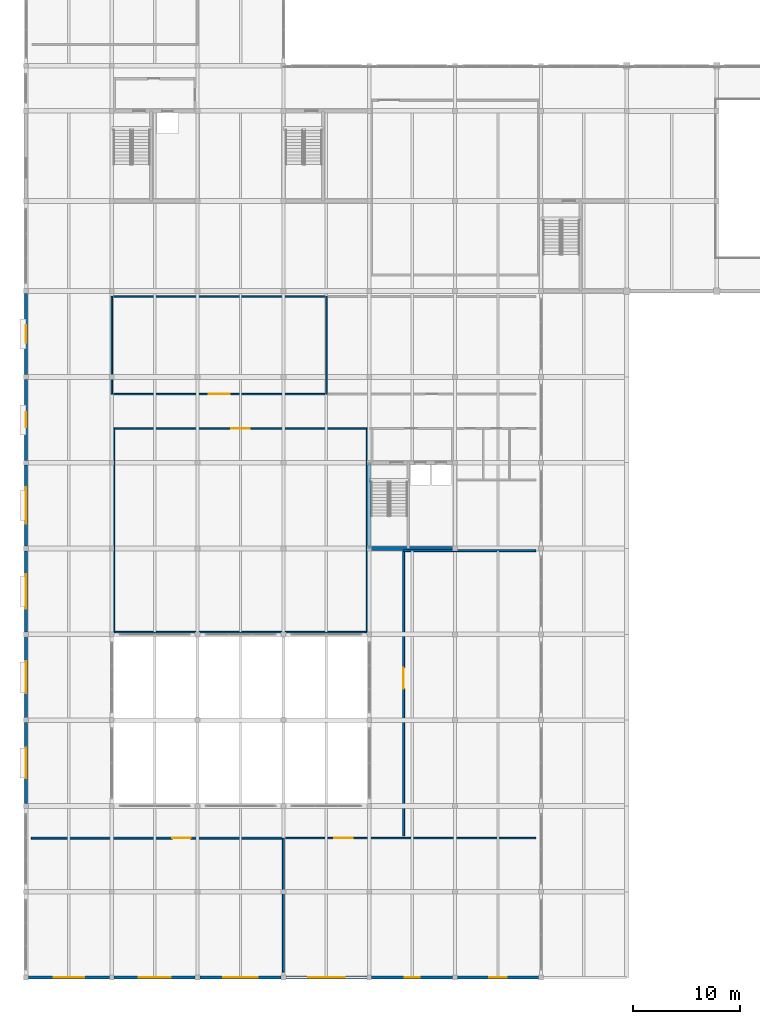
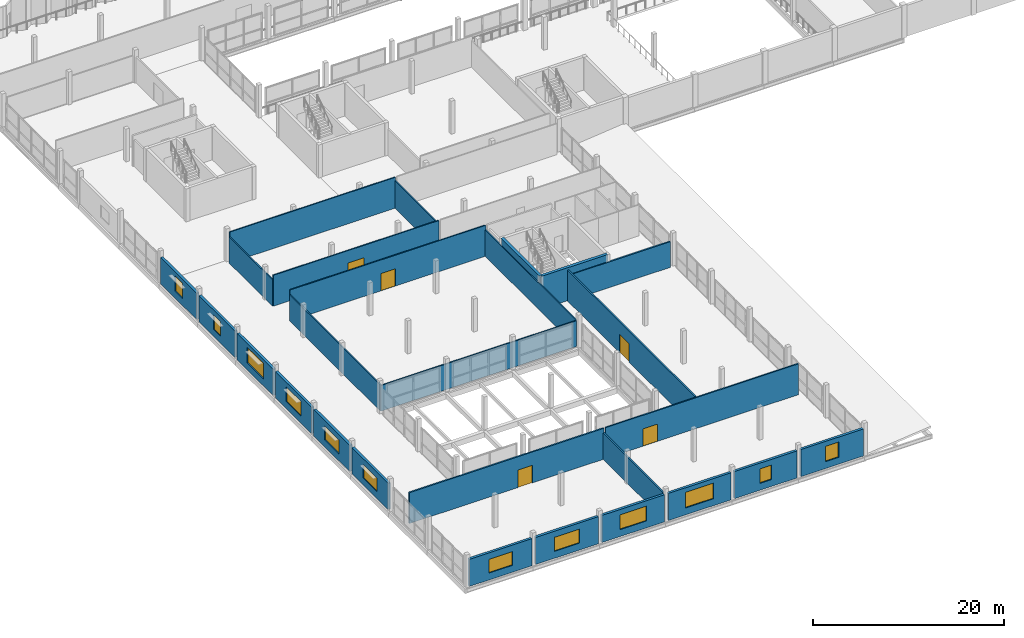
# One storey, part 37 of 53: 27 walls, 12 windows, 5 doors, 17 openings.
"""IFC4 building model written with IfcOpenShell, lengths in metres."""

from ifc_helpers import new_model, si_unit, direction, frame, frame_2d, origin, place, context, subcontext, project, spatial, rectangle, extrude, material, layer, layer_set, type_object, element, fill, save


model = new_model("IFC4")

# Units and contexts
model_context = context("Model", 3, precision=1e-05, world=origin(), true_north=direction((0.0, 1.0)))
body_context = subcontext(model_context, "Body", "Model", "MODEL_VIEW")
ifc_project = project(units=[si_unit("LENGTHUNIT", "METRE"), si_unit("AREAUNIT", "SQUARE_METRE"), si_unit("VOLUMEUNIT", "CUBIC_METRE"), si_unit("PLANEANGLEUNIT", "RADIAN"), si_unit("MASSUNIT", "GRAM", prefix="KILO")], contexts=[model_context])

# Site, building, storey
site_placement = place(None, origin())
site = spatial("IfcSite", under=ifc_project, at=site_placement, CompositionType="ELEMENT")
building_placement = place(site_placement, origin())
building = spatial("IfcBuilding", under=site, at=building_placement, Name="Vharandega Faculty of Natural Sciences", CompositionType="ELEMENT")
storey_placement = place(building_placement, frame((0.0, 0.0, 10.199951171875)))
storey = spatial("IfcBuildingStorey", under=building, at=storey_placement, Name="L02", CompositionType="ELEMENT", Elevation=10.199951171875)

# Wall, opening, door
ifc_material_1 = material(Name="Acoustic masonry blockwork 15 MPa", Category="masonry")
ifc_layer_1 = layer(ifc_material_1, 0.179931640625, Name="Acoustic masonry blockwork 15 MPa")
ifc_layer_set_1 = layer_set([ifc_layer_1], Name="Acoustic masonry blockwork 15 MPa")
wall_type_1 = type_object("IfcWallType", Name="Acoustic Lecture Wall 180", PredefinedType="PARTITIONING", material=ifc_layer_set_1)
wall_1_placement = place(storey_placement, frame((0.5, 13.0, 0.0), z_axis=(0.0, 0.0, 1.0), x_axis=(1.0, 0.0, 0.0)))
wall_1 = element("IfcWall", 1, at=wall_1_placement, inside=storey, type_object=wall_type_1, Name="Interior Wall PW-L02-R01N", PredefinedType="PARTITIONING", context=body_context, shape_type="SweptSolid", body=[
    extrude(rectangle(XDim=23.5, YDim=0.179931640625, at=frame_2d((11.75, 0.0))), origin(), (0.0, 0.0, 1.0), 3.93994140625),
])
opening_1_placement = place(wall_1_placement, frame((13.14990234375, 0.0, 0.0)))
opening_1 = element("IfcOpeningElement", 2, at=opening_1_placement, cuts=wall_1, Name="Opening D0265", PredefinedType="OPENING", context=body_context, shape_type="SweptSolid", body=[
    extrude(rectangle(XDim=1.699951171875, YDim=2.25, at=frame_2d((0.85009765625, 1.125))), frame((0.0, 0.10009765625, 0.0), z_axis=(0.0, -1.0, 0.0), x_axis=(1.0, 0.0, 0.0)), (0.0, 0.0, 1.0), 0.199951171875),
])
ifc_material_2 = material(Name="Solid-core hardwood timber fire door", Category="wood")
door_type_1 = type_object("IfcDoorType", Name="ID01-LECTURE-DBL-1700x2250", OperationType="DOUBLE_DOOR_SINGLE_SWING", PredefinedType="DOOR", material=ifc_material_2)
door_1_placement = place(opening_1_placement, origin())
door_1 = element("IfcDoor", 3, at=door_1_placement, inside=storey, type_object=door_type_1, Name="Colloquium Seminar Hall 201 Door D0265", OperationType="DOUBLE_DOOR_SINGLE_SWING", OverallHeight=2.25, OverallWidth=1.699951171875, PredefinedType="DOOR", context=body_context, shape_type="SweptSolid", body=[
    extrude(rectangle(XDim=1.699951171875, YDim=2.25, at=frame_2d((0.85009765625, 1.125))), frame((0.0, 0.02490234375, 0.0), z_axis=(0.0, -1.0, 0.0), x_axis=(1.0, 0.0, 0.0)), (0.0, 0.0, 1.0), 0.050048828125),
])
fill(opening_1, door_1)

# Walls
wall_2_placement = place(storey_placement, frame((24.0, 0.5, 0.0), z_axis=(0.0, 0.0, 1.0), x_axis=(0.0, 1.0, 0.0)))
element("IfcWall", 4, at=wall_2_placement, inside=storey, type_object=wall_type_1, Name="Interior Wall PW-L02-R01E", PredefinedType="PARTITIONING", context=body_context, shape_type="SweptSolid", body=[
    extrude(rectangle(XDim=12.5, YDim=0.179931640625, at=frame_2d((6.25, 0.0))), origin(), (0.0, 0.0, 1.0), 3.360107421875),
])
wall_3_placement = place(storey_placement, frame((35.199951171875, 39.800048828125, 0.0), z_axis=(0.0, 0.0, 1.0), x_axis=(1.0, 0.0, 0.0)))
element("IfcWall", 5, at=wall_3_placement, inside=storey, type_object=wall_type_1, Name="Interior Wall PW-L02-R03N", PredefinedType="PARTITIONING", context=body_context, shape_type="SweptSolid", body=[
    extrude(rectangle(XDim=12.300048828125, YDim=0.179931640625, at=frame_2d((6.14990234375, 0.0))), origin(), (0.0, 0.0, 1.0), 3.280029296875),
])

# Wall, opening, door
wall_4_placement = place(storey_placement, frame((35.199951171875, 13.199951171875, 0.0), z_axis=(0.0, 0.0, 1.0), x_axis=(0.0, 1.0, 0.0)))
wall_4 = element("IfcWall", 6, at=wall_4_placement, inside=storey, type_object=wall_type_1, Name="Interior Wall PW-L02-R03W", PredefinedType="PARTITIONING", context=body_context, shape_type="SweptSolid", body=[
    extrude(rectangle(XDim=26.60009765625, YDim=0.179931640625, at=frame_2d((13.300048828125, 0.0))), origin(), (0.0, 0.0, 1.0), 3.93994140625),
])
opening_2_placement = place(wall_4_placement, frame((13.72509765625, 0.0, 0.0)))
opening_2 = element("IfcOpeningElement", 7, at=opening_2_placement, cuts=wall_4, Name="Opening D0267", PredefinedType="OPENING", context=body_context, shape_type="SweptSolid", body=[
    extrude(rectangle(XDim=1.949951171875, YDim=2.35009765625, at=frame_2d((0.97509765625, 1.175048828125))), frame((0.0, 0.10009765625, 0.0), z_axis=(0.0, -1.0, 0.0), x_axis=(1.0, 0.0, 0.0)), (0.0, 0.0, 1.0), 0.199951171875),
])
ifc_material_3 = material(Name="Solid-core hardwood timber fire door", Category="wood")
door_type_2 = type_object("IfcDoorType", Name="ID10-WORKSHOP-DBL-1950x2350", OperationType="DOUBLE_DOOR_SINGLE_SWING", PredefinedType="DOOR", material=ifc_material_3)
door_2_placement = place(opening_2_placement, origin())
door_2 = element("IfcDoor", 8, at=door_2_placement, inside=storey, type_object=door_type_2, Name="Geology Petrology Workshop Door D0267", OperationType="DOUBLE_DOOR_SINGLE_SWING", OverallHeight=2.35009765625, OverallWidth=1.949951171875, PredefinedType="DOOR", context=body_context, shape_type="SweptSolid", body=[
    extrude(rectangle(XDim=1.949951171875, YDim=2.35009765625, at=frame_2d((0.97509765625, 1.175048828125))), frame((0.0, 0.02490234375, 0.0), z_axis=(0.0, -1.0, 0.0), x_axis=(1.0, 0.0, 0.0)), (0.0, 0.0, 1.0), 0.050048828125),
])
fill(opening_2, door_2)

# Walls
ifc_material_4 = material(Name="Concrete C40/50", Category="concrete")
ifc_layer_2 = layer(ifc_material_4, 0.35009765625, Name="Concrete C40/50")
ifc_layer_set_2 = layer_set([ifc_layer_2], Name="Concrete C40/50")
wall_type_2 = type_object("IfcWallType", Name="Core Shear Wall 350", PredefinedType="SHEAR", material=ifc_layer_set_2)
for number, where, z_axis, x_axis, name in (
    (9, (32.0, 40.0, 0.0), (0.0, 0.0, 1.0), (1.0, 0.0, 0.0), "Interior Wall CW-C3-L02-S"),
    (10, (32.0, 40.0, 0.0), (0.0, 0.0, 1.0), (0.0, 1.0, 0.0), "Interior Wall CW-C3-L02-W"),
):
    element("IfcWall", number, at=place(storey_placement, frame(where, z_axis=z_axis, x_axis=x_axis)), inside=storey, type_object=wall_type_2, Name=name, PredefinedType="SHEAR", context=body_context, shape_type="SweptSolid", body=[
        extrude(rectangle(XDim=8.0, YDim=0.35009765625, at=frame_2d((4.0, 0.0))), origin(), (0.0, 0.0, 1.0), 4.199951171875),
    ])

# Wall, opening, door
ifc_material_5 = material(Name="Gypsum fire-board on steel stud", Category="steel")
ifc_layer_3 = layer(ifc_material_5, 0.159912109375, Name="Gypsum fire-board on steel stud")
ifc_layer_set_3 = layer_set([ifc_layer_3], Name="Gypsum fire-board on steel stud")
wall_type_3 = type_object("IfcWallType", Name="Laboratory Fire Corridor Wall 160", PredefinedType="PARTITIONING", material=ifc_layer_set_3)
wall_5_placement = place(storey_placement, frame((24.199951171875, 13.0, 0.0), z_axis=(0.0, 0.0, 1.0), x_axis=(1.0, 0.0, 0.0)))
wall_5 = element("IfcWall", 11, at=wall_5_placement, inside=storey, type_object=wall_type_3, Name="Interior Wall PW-L02-R02N", PredefinedType="PARTITIONING", context=body_context, shape_type="SweptSolid", body=[
    extrude(rectangle(XDim=23.300048828125, YDim=0.159912109375, at=frame_2d((11.64990234375, 0.0))), origin(), (0.0, 0.0, 1.0), 3.93994140625),
])
opening_3_placement = place(wall_5_placement, frame((4.52490234375, 0.0, 0.0)))
opening_3 = element("IfcOpeningElement", 12, at=opening_3_placement, cuts=wall_5, Name="Opening D0266", PredefinedType="OPENING", context=body_context, shape_type="SweptSolid", body=[
    extrude(rectangle(XDim=1.75, YDim=2.199951171875, at=frame_2d((0.875, 1.10009765625))), frame((0.0, 0.08984375, 0.0), z_axis=(0.0, -1.0, 0.0), x_axis=(1.0, 0.0, 0.0)), (0.0, 0.0, 1.0), 0.179931640625),
])
ifc_material_6 = material(Name="Solid-core hardwood timber fire door", Category="wood")
door_type_3 = type_object("IfcDoorType", Name="ID09-HERBARIUM-DBL-1750x2200", OperationType="DOUBLE_DOOR_SINGLE_SWING", PredefinedType="DOOR", material=ifc_material_6)
door_3_placement = place(opening_3_placement, origin())
door_3 = element("IfcDoor", 13, at=door_3_placement, inside=storey, type_object=door_type_3, Name="Paleobotany Herbarium Collection Hall Door D0266", OperationType="DOUBLE_DOOR_SINGLE_SWING", OverallHeight=2.199951171875, OverallWidth=1.75, PredefinedType="DOOR", context=body_context, shape_type="SweptSolid", body=[
    extrude(rectangle(XDim=1.75, YDim=2.199951171875, at=frame_2d((0.875, 1.10009765625))), frame((0.0, 0.02490234375, 0.0), z_axis=(0.0, -1.0, 0.0), x_axis=(1.0, 0.0, 0.0)), (0.0, 0.0, 1.0), 0.050048828125),
])
fill(opening_3, door_3)

# Wall, opening, window
ifc_material_7 = material(Name="Precast concrete C40/50", Category="concrete")
ifc_layer_4 = layer(ifc_material_7, 0.300048828125, Name="Precast concrete C40/50")
ifc_layer_set_4 = layer_set([ifc_layer_4], Name="Precast concrete C40/50")
wall_type_4 = type_object("IfcWallType", Name="Polychrome Precast Facade Wall 300", PredefinedType="SOLIDWALL", material=ifc_layer_set_4)
wall_6_placement = place(storey_placement, frame((0.0, 16.222900390625, 0.0), z_axis=(0.0, 0.0, 1.0), x_axis=(0.0, 1.0, 0.0)))
wall_6 = element("IfcWall", 14, at=wall_6_placement, inside=storey, type_object=wall_type_4, Name="Exterior Wall EW-V5W-L02-C", PredefinedType="SOLIDWALL", context=body_context, shape_type="SweptSolid", body=[
    extrude(rectangle(XDim=7.55419921875, YDim=0.300048828125, at=frame_2d((3.777099609375, 0.0))), origin(), (0.0, 0.0, 1.0), 3.360107421875),
])
opening_4_placement = place(wall_6_placement, frame((2.35205078125, 0.0, 0.8798828125)))
opening_4 = element("IfcOpeningElement", 15, at=opening_4_placement, cuts=wall_6, Name="Opening WN-27", PredefinedType="OPENING", context=body_context, shape_type="SweptSolid", body=[
    extrude(rectangle(XDim=2.85009765625, YDim=1.75, at=frame_2d((1.425048828125, 0.875))), frame((0.0, 0.16015625, 0.0), z_axis=(0.0, -1.0, 0.0), x_axis=(1.0, 0.0, 0.0)), (0.0, 0.0, 1.0), 0.320068359375),
])
ifc_material_8 = material(Name="Double-glazed solar-control glass in thermally broken aluminium frame", Category="aluminium")
window_type_1 = type_object("IfcWindowType", Name="WIN-SEM-285x175", PartitioningType="DOUBLE_PANEL_VERTICAL", PredefinedType="WINDOW", material=ifc_material_8)
window_1_placement = place(opening_4_placement, origin())
window_1 = element("IfcWindow", 16, at=window_1_placement, inside=storey, type_object=window_type_1, Name="Window WIN-L02-0235", OverallHeight=1.75, OverallWidth=2.85009765625, PartitioningType="SINGLE_PANEL", PredefinedType="WINDOW", context=body_context, shape_type="SweptSolid", body=[
    extrude(rectangle(XDim=2.85009765625, YDim=1.75, at=frame_2d((1.425048828125, 0.875))), frame((0.0, 0.030029296875, 0.0), z_axis=(0.0, -1.0, 0.0), x_axis=(1.0, 0.0, 0.0)), (0.0, 0.0, 1.0), 0.06005859375),
])
fill(opening_4, window_1)

wall_7_placement = place(storey_placement, frame((0.0, 24.222900390625, 0.0), z_axis=(0.0, 0.0, 1.0), x_axis=(0.0, 1.0, 0.0)))
wall_7 = element("IfcWall", 17, at=wall_7_placement, inside=storey, type_object=wall_type_4, Name="Exterior Wall EW-V5W-L02-D", PredefinedType="SOLIDWALL", context=body_context, shape_type="SweptSolid", body=[
    extrude(rectangle(XDim=7.55419921875, YDim=0.300048828125, at=frame_2d((3.777099609375, 0.0))), origin(), (0.0, 0.0, 1.0), 3.360107421875),
])
opening_5_placement = place(wall_7_placement, frame((2.277099609375, 0.0, 0.8798828125)))
opening_5 = element("IfcOpeningElement", 18, at=opening_5_placement, cuts=wall_7, Name="Opening WN-28", PredefinedType="OPENING", context=body_context, shape_type="SweptSolid", body=[
    extrude(rectangle(XDim=3.0, YDim=1.800048828125, at=frame_2d((1.5, 0.89990234375))), frame((0.0, 0.16015625, 0.0), z_axis=(0.0, -1.0, 0.0), x_axis=(1.0, 0.0, 0.0)), (0.0, 0.0, 1.0), 0.320068359375),
])
ifc_material_9 = material(Name="Double-glazed solar-control glass in thermally broken aluminium frame", Category="aluminium")
window_type_2 = type_object("IfcWindowType", Name="WIN-SEM-300x180", PartitioningType="DOUBLE_PANEL_VERTICAL", PredefinedType="WINDOW", material=ifc_material_9)
window_2_placement = place(opening_5_placement, origin())
window_2 = element("IfcWindow", 19, at=window_2_placement, inside=storey, type_object=window_type_2, Name="Window WIN-L02-0236", OverallHeight=1.800048828125, OverallWidth=3.0, PartitioningType="SINGLE_PANEL", PredefinedType="WINDOW", context=body_context, shape_type="SweptSolid", body=[
    extrude(rectangle(XDim=3.0, YDim=1.800048828125, at=frame_2d((1.5, 0.89990234375))), frame((0.0, 0.030029296875, 0.0), z_axis=(0.0, -1.0, 0.0), x_axis=(1.0, 0.0, 0.0)), (0.0, 0.0, 1.0), 0.06005859375),
])
fill(opening_5, window_2)

wall_8_placement = place(storey_placement, frame((0.0, 32.222900390625, 0.0), z_axis=(0.0, 0.0, 1.0), x_axis=(0.0, 1.0, 0.0)))
wall_8 = element("IfcWall", 20, at=wall_8_placement, inside=storey, type_object=wall_type_4, Name="Exterior Wall EW-V5W-L02-E", PredefinedType="SOLIDWALL", context=body_context, shape_type="SweptSolid", body=[
    extrude(rectangle(XDim=7.55419921875, YDim=0.300048828125, at=frame_2d((3.777099609375, 0.0))), origin(), (0.0, 0.0, 1.0), 3.360107421875),
])
opening_6_placement = place(wall_8_placement, frame((2.177001953125, 0.0, 0.8798828125)))
opening_6 = element("IfcOpeningElement", 21, at=opening_6_placement, cuts=wall_8, Name="Opening WN-29", PredefinedType="OPENING", context=body_context, shape_type="SweptSolid", body=[
    extrude(rectangle(XDim=3.199951171875, YDim=1.89990234375, at=frame_2d((1.60009765625, 0.949951171875))), frame((0.0, 0.16015625, 0.0), z_axis=(0.0, -1.0, 0.0), x_axis=(1.0, 0.0, 0.0)), (0.0, 0.0, 1.0), 0.320068359375),
])
ifc_material_10 = material(Name="Double-glazed solar-control glass in thermally broken aluminium frame", Category="aluminium")
window_type_3 = type_object("IfcWindowType", Name="WIN-SEM-320x190", PartitioningType="DOUBLE_PANEL_VERTICAL", PredefinedType="WINDOW", material=ifc_material_10)
window_3_placement = place(opening_6_placement, origin())
window_3 = element("IfcWindow", 22, at=window_3_placement, inside=storey, type_object=window_type_3, Name="Window WIN-L02-0237", OverallHeight=1.89990234375, OverallWidth=3.199951171875, PartitioningType="SINGLE_PANEL", PredefinedType="WINDOW", context=body_context, shape_type="SweptSolid", body=[
    extrude(rectangle(XDim=3.199951171875, YDim=1.89990234375, at=frame_2d((1.60009765625, 0.949951171875))), frame((0.0, 0.030029296875, 0.0), z_axis=(0.0, -1.0, 0.0), x_axis=(1.0, 0.0, 0.0)), (0.0, 0.0, 1.0), 0.06005859375),
])
fill(opening_6, window_3)

wall_9_placement = place(storey_placement, frame((0.0, 40.222900390625, 0.0), z_axis=(0.0, 0.0, 1.0), x_axis=(0.0, 1.0, 0.0)))
wall_9 = element("IfcWall", 23, at=wall_9_placement, inside=storey, type_object=wall_type_4, Name="Exterior Wall EW-V5W-L02-F", PredefinedType="SOLIDWALL", context=body_context, shape_type="SweptSolid", body=[
    extrude(rectangle(XDim=7.55419921875, YDim=0.300048828125, at=frame_2d((3.777099609375, 0.0))), origin(), (0.0, 0.0, 1.0), 3.360107421875),
])
opening_7_placement = place(wall_9_placement, frame((2.076904296875, 0.0, 0.8798828125)))
opening_7 = element("IfcOpeningElement", 24, at=opening_7_placement, cuts=wall_9, Name="Opening WN-30", PredefinedType="OPENING", context=body_context, shape_type="SweptSolid", body=[
    extrude(rectangle(XDim=3.39990234375, YDim=2.0, at=frame_2d((1.699951171875, 1.0))), frame((0.0, 0.16015625, 0.0), z_axis=(0.0, -1.0, 0.0), x_axis=(1.0, 0.0, 0.0)), (0.0, 0.0, 1.0), 0.320068359375),
])
ifc_material_11 = material(Name="Double-glazed solar-control glass in thermally broken aluminium frame", Category="aluminium")
window_type_4 = type_object("IfcWindowType", Name="WIN-SEM-340x200", PartitioningType="DOUBLE_PANEL_VERTICAL", PredefinedType="WINDOW", material=ifc_material_11)
window_4_placement = place(opening_7_placement, origin())
window_4 = element("IfcWindow", 25, at=window_4_placement, inside=storey, type_object=window_type_4, Name="Window WIN-L02-0238", OverallHeight=2.0, OverallWidth=3.39990234375, PartitioningType="SINGLE_PANEL", PredefinedType="WINDOW", context=body_context, shape_type="SweptSolid", body=[
    extrude(rectangle(XDim=3.39990234375, YDim=2.0, at=frame_2d((1.699951171875, 1.0))), frame((0.0, 0.030029296875, 0.0), z_axis=(0.0, -1.0, 0.0), x_axis=(1.0, 0.0, 0.0)), (0.0, 0.0, 1.0), 0.06005859375),
])
fill(opening_7, window_4)

wall_10_placement = place(storey_placement, frame((0.0, 48.222900390625, 0.0), z_axis=(0.0, 0.0, 1.0), x_axis=(0.0, 1.0, 0.0)))
wall_10 = element("IfcWall", 26, at=wall_10_placement, inside=storey, type_object=wall_type_4, Name="Exterior Wall EW-V5W-L02-G", PredefinedType="SOLIDWALL", context=body_context, shape_type="SweptSolid", body=[
    extrude(rectangle(XDim=7.55419921875, YDim=0.300048828125, at=frame_2d((3.777099609375, 0.0))), origin(), (0.0, 0.0, 1.0), 3.360107421875),
])
opening_8_placement = place(wall_10_placement, frame((3.076904296875, 0.0, 0.8798828125)))
opening_8 = element("IfcOpeningElement", 27, at=opening_8_placement, cuts=wall_10, Name="Opening WN-31", PredefinedType="OPENING", context=body_context, shape_type="SweptSolid", body=[
    extrude(rectangle(XDim=1.39990234375, YDim=1.85009765625, at=frame_2d((0.699951171875, 0.925048828125))), frame((0.0, 0.16015625, 0.0), z_axis=(0.0, -1.0, 0.0), x_axis=(1.0, 0.0, 0.0)), (0.0, 0.0, 1.0), 0.320068359375),
])
ifc_material_12 = material(Name="Double-glazed solar-control glass in thermally broken aluminium frame", Category="aluminium")
window_type_5 = type_object("IfcWindowType", Name="WIN-SEM-140x185", PartitioningType="SINGLE_PANEL", PredefinedType="WINDOW", material=ifc_material_12)
window_5_placement = place(opening_8_placement, origin())
window_5 = element("IfcWindow", 28, at=window_5_placement, inside=storey, type_object=window_type_5, Name="Window WIN-L02-0239", OverallHeight=1.85009765625, OverallWidth=1.39990234375, PartitioningType="SINGLE_PANEL", PredefinedType="WINDOW", context=body_context, shape_type="SweptSolid", body=[
    extrude(rectangle(XDim=1.39990234375, YDim=1.85009765625, at=frame_2d((0.699951171875, 0.925048828125))), frame((0.0, 0.030029296875, 0.0), z_axis=(0.0, -1.0, 0.0), x_axis=(1.0, 0.0, 0.0)), (0.0, 0.0, 1.0), 0.06005859375),
])
fill(opening_8, window_5)

wall_11_placement = place(storey_placement, frame((0.0, 56.222900390625, 0.0), z_axis=(0.0, 0.0, 1.0), x_axis=(0.0, 1.0, 0.0)))
wall_11 = element("IfcWall", 29, at=wall_11_placement, inside=storey, type_object=wall_type_4, Name="Exterior Wall EW-V5W-L02-H", PredefinedType="SOLIDWALL", context=body_context, shape_type="SweptSolid", body=[
    extrude(rectangle(XDim=7.55419921875, YDim=0.300048828125, at=frame_2d((3.777099609375, 0.0))), origin(), (0.0, 0.0, 1.0), 3.360107421875),
])
opening_9_placement = place(wall_11_placement, frame((2.97705078125, 0.0, 0.8798828125)))
opening_9 = element("IfcOpeningElement", 30, at=opening_9_placement, cuts=wall_11, Name="Opening WN-32", PredefinedType="OPENING", context=body_context, shape_type="SweptSolid", body=[
    extrude(rectangle(XDim=1.60009765625, YDim=1.949951171875, at=frame_2d((0.800048828125, 0.97509765625))), frame((0.0, 0.16015625, 0.0), z_axis=(0.0, -1.0, 0.0), x_axis=(1.0, 0.0, 0.0)), (0.0, 0.0, 1.0), 0.320068359375),
])
ifc_material_13 = material(Name="Double-glazed solar-control glass in thermally broken aluminium frame", Category="aluminium")
window_type_6 = type_object("IfcWindowType", Name="WIN-SEM-160x195", PartitioningType="SINGLE_PANEL", PredefinedType="WINDOW", material=ifc_material_13)
window_6_placement = place(opening_9_placement, origin())
window_6 = element("IfcWindow", 31, at=window_6_placement, inside=storey, type_object=window_type_6, Name="Window WIN-L02-0240", OverallHeight=1.949951171875, OverallWidth=1.60009765625, PartitioningType="SINGLE_PANEL", PredefinedType="WINDOW", context=body_context, shape_type="SweptSolid", body=[
    extrude(rectangle(XDim=1.60009765625, YDim=1.949951171875, at=frame_2d((0.800048828125, 0.97509765625))), frame((0.0, 0.030029296875, 0.0), z_axis=(0.0, -1.0, 0.0), x_axis=(1.0, 0.0, 0.0)), (0.0, 0.0, 1.0), 0.06005859375),
])
fill(opening_9, window_6)

wall_12_placement = place(storey_placement, frame((7.777099609375, 0.0, 0.0), z_axis=(0.0, 0.0, 1.0), x_axis=(-1.0, 0.0, 0.0)))
wall_12 = element("IfcWall", 32, at=wall_12_placement, inside=storey, type_object=wall_type_4, Name="Exterior Wall EW-V5S-L02-1", PredefinedType="SOLIDWALL", context=body_context, shape_type="SweptSolid", body=[
    extrude(rectangle(XDim=7.55419921875, YDim=0.300048828125, at=frame_2d((3.777099609375, 0.0))), origin(), (0.0, 0.0, 1.0), 3.4599609375),
])
opening_10_placement = place(wall_12_placement, frame((2.35205078125, 0.0, 0.8798828125)))
opening_10 = element("IfcOpeningElement", 33, at=opening_10_placement, cuts=wall_12, Name="Opening WN-27", PredefinedType="OPENING", context=body_context, shape_type="SweptSolid", body=[
    extrude(rectangle(XDim=2.85009765625, YDim=1.75, at=frame_2d((1.425048828125, 0.875))), frame((0.0, 0.16015625, 0.0), z_axis=(0.0, -1.0, 0.0), x_axis=(1.0, 0.0, 0.0)), (0.0, 0.0, 1.0), 0.320068359375),
])
window_7_placement = place(opening_10_placement, origin())
window_7 = element("IfcWindow", 34, at=window_7_placement, inside=storey, type_object=window_type_1, Name="Window WIN-L02-0241", OverallHeight=1.75, OverallWidth=2.85009765625, PartitioningType="SINGLE_PANEL", PredefinedType="WINDOW", context=body_context, shape_type="SweptSolid", body=[
    extrude(rectangle(XDim=2.85009765625, YDim=1.75, at=frame_2d((1.425048828125, 0.875))), frame((0.0, 0.030029296875, 0.0), z_axis=(0.0, -1.0, 0.0), x_axis=(1.0, 0.0, 0.0)), (0.0, 0.0, 1.0), 0.06005859375),
])
fill(opening_10, window_7)

wall_13_placement = place(storey_placement, frame((15.777099609375, 0.0, 0.0), z_axis=(0.0, 0.0, 1.0), x_axis=(-1.0, 0.0, 0.0)))
wall_13 = element("IfcWall", 35, at=wall_13_placement, inside=storey, type_object=wall_type_4, Name="Exterior Wall EW-V5S-L02-2", PredefinedType="SOLIDWALL", context=body_context, shape_type="SweptSolid", body=[
    extrude(rectangle(XDim=7.55419921875, YDim=0.300048828125, at=frame_2d((3.777099609375, 0.0))), origin(), (0.0, 0.0, 1.0), 3.4599609375),
])
opening_11_placement = place(wall_13_placement, frame((2.277099609375, 0.0, 0.8798828125)))
opening_11 = element("IfcOpeningElement", 36, at=opening_11_placement, cuts=wall_13, Name="Opening WN-28", PredefinedType="OPENING", context=body_context, shape_type="SweptSolid", body=[
    extrude(rectangle(XDim=3.0, YDim=1.800048828125, at=frame_2d((1.5, 0.89990234375))), frame((0.0, 0.16015625, 0.0), z_axis=(0.0, -1.0, 0.0), x_axis=(1.0, 0.0, 0.0)), (0.0, 0.0, 1.0), 0.320068359375),
])
window_8_placement = place(opening_11_placement, origin())
window_8 = element("IfcWindow", 37, at=window_8_placement, inside=storey, type_object=window_type_2, Name="Window WIN-L02-0242", OverallHeight=1.800048828125, OverallWidth=3.0, PartitioningType="SINGLE_PANEL", PredefinedType="WINDOW", context=body_context, shape_type="SweptSolid", body=[
    extrude(rectangle(XDim=3.0, YDim=1.800048828125, at=frame_2d((1.5, 0.89990234375))), frame((0.0, 0.030029296875, 0.0), z_axis=(0.0, -1.0, 0.0), x_axis=(1.0, 0.0, 0.0)), (0.0, 0.0, 1.0), 0.06005859375),
])
fill(opening_11, window_8)

wall_14_placement = place(storey_placement, frame((23.777099609375, 0.0, 0.0), z_axis=(0.0, 0.0, 1.0), x_axis=(-1.0, 0.0, 0.0)))
wall_14 = element("IfcWall", 38, at=wall_14_placement, inside=storey, type_object=wall_type_4, Name="Exterior Wall EW-V5S-L02-3", PredefinedType="SOLIDWALL", context=body_context, shape_type="SweptSolid", body=[
    extrude(rectangle(XDim=7.55419921875, YDim=0.300048828125, at=frame_2d((3.777099609375, 0.0))), origin(), (0.0, 0.0, 1.0), 3.4599609375),
])
opening_12_placement = place(wall_14_placement, frame((2.177001953125, 0.0, 0.8798828125)))
opening_12 = element("IfcOpeningElement", 39, at=opening_12_placement, cuts=wall_14, Name="Opening WN-29", PredefinedType="OPENING", context=body_context, shape_type="SweptSolid", body=[
    extrude(rectangle(XDim=3.199951171875, YDim=1.89990234375, at=frame_2d((1.60009765625, 0.949951171875))), frame((0.0, 0.16015625, 0.0), z_axis=(0.0, -1.0, 0.0), x_axis=(1.0, 0.0, 0.0)), (0.0, 0.0, 1.0), 0.320068359375),
])
window_9_placement = place(opening_12_placement, origin())
window_9 = element("IfcWindow", 40, at=window_9_placement, inside=storey, type_object=window_type_3, Name="Window WIN-L02-0243", OverallHeight=1.89990234375, OverallWidth=3.199951171875, PartitioningType="SINGLE_PANEL", PredefinedType="WINDOW", context=body_context, shape_type="SweptSolid", body=[
    extrude(rectangle(XDim=3.199951171875, YDim=1.89990234375, at=frame_2d((1.60009765625, 0.949951171875))), frame((0.0, 0.030029296875, 0.0), z_axis=(0.0, -1.0, 0.0), x_axis=(1.0, 0.0, 0.0)), (0.0, 0.0, 1.0), 0.06005859375),
])
fill(opening_12, window_9)

wall_15_placement = place(storey_placement, frame((31.777099609375, 0.0, 0.0), z_axis=(0.0, 0.0, 1.0), x_axis=(-1.0, 0.0, 0.0)))
wall_15 = element("IfcWall", 41, at=wall_15_placement, inside=storey, type_object=wall_type_4, Name="Exterior Wall EW-V5S-L02-4", PredefinedType="SOLIDWALL", context=body_context, shape_type="SweptSolid", body=[
    extrude(rectangle(XDim=7.55419921875, YDim=0.300048828125, at=frame_2d((3.777099609375, 0.0))), origin(), (0.0, 0.0, 1.0), 3.4599609375),
])
opening_13_placement = place(wall_15_placement, frame((2.076904296875, 0.0, 0.8798828125)))
opening_13 = element("IfcOpeningElement", 42, at=opening_13_placement, cuts=wall_15, Name="Opening WN-30", PredefinedType="OPENING", context=body_context, shape_type="SweptSolid", body=[
    extrude(rectangle(XDim=3.39990234375, YDim=2.0, at=frame_2d((1.699951171875, 1.0))), frame((0.0, 0.16015625, 0.0), z_axis=(0.0, -1.0, 0.0), x_axis=(1.0, 0.0, 0.0)), (0.0, 0.0, 1.0), 0.320068359375),
])
window_10_placement = place(opening_13_placement, origin())
window_10 = element("IfcWindow", 43, at=window_10_placement, inside=storey, type_object=window_type_4, Name="Window WIN-L02-0244", OverallHeight=2.0, OverallWidth=3.39990234375, PartitioningType="SINGLE_PANEL", PredefinedType="WINDOW", context=body_context, shape_type="SweptSolid", body=[
    extrude(rectangle(XDim=3.39990234375, YDim=2.0, at=frame_2d((1.699951171875, 1.0))), frame((0.0, 0.030029296875, 0.0), z_axis=(0.0, -1.0, 0.0), x_axis=(1.0, 0.0, 0.0)), (0.0, 0.0, 1.0), 0.06005859375),
])
fill(opening_13, window_10)

wall_16_placement = place(storey_placement, frame((39.777099609375, 0.0, 0.0), z_axis=(0.0, 0.0, 1.0), x_axis=(-1.0, 0.0, 0.0)))
wall_16 = element("IfcWall", 44, at=wall_16_placement, inside=storey, type_object=wall_type_4, Name="Exterior Wall EW-V5S-L02-5", PredefinedType="SOLIDWALL", context=body_context, shape_type="SweptSolid", body=[
    extrude(rectangle(XDim=7.55419921875, YDim=0.300048828125, at=frame_2d((3.777099609375, 0.0))), origin(), (0.0, 0.0, 1.0), 3.4599609375),
])
opening_14_placement = place(wall_16_placement, frame((3.076904296875, 0.0, 0.8798828125)))
opening_14 = element("IfcOpeningElement", 45, at=opening_14_placement, cuts=wall_16, Name="Opening WN-31", PredefinedType="OPENING", context=body_context, shape_type="SweptSolid", body=[
    extrude(rectangle(XDim=1.39990234375, YDim=1.85009765625, at=frame_2d((0.699951171875, 0.925048828125))), frame((0.0, 0.16015625, 0.0), z_axis=(0.0, -1.0, 0.0), x_axis=(1.0, 0.0, 0.0)), (0.0, 0.0, 1.0), 0.320068359375),
])
window_11_placement = place(opening_14_placement, origin())
window_11 = element("IfcWindow", 46, at=window_11_placement, inside=storey, type_object=window_type_5, Name="Window WIN-L02-0245", OverallHeight=1.85009765625, OverallWidth=1.39990234375, PartitioningType="SINGLE_PANEL", PredefinedType="WINDOW", context=body_context, shape_type="SweptSolid", body=[
    extrude(rectangle(XDim=1.39990234375, YDim=1.85009765625, at=frame_2d((0.699951171875, 0.925048828125))), frame((0.0, 0.030029296875, 0.0), z_axis=(0.0, -1.0, 0.0), x_axis=(1.0, 0.0, 0.0)), (0.0, 0.0, 1.0), 0.06005859375),
])
fill(opening_14, window_11)

wall_17_placement = place(storey_placement, frame((47.777099609375, 0.0, 0.0), z_axis=(0.0, 0.0, 1.0), x_axis=(-1.0, 0.0, 0.0)))
wall_17 = element("IfcWall", 47, at=wall_17_placement, inside=storey, type_object=wall_type_4, Name="Exterior Wall EW-V5S-L02-6", PredefinedType="SOLIDWALL", context=body_context, shape_type="SweptSolid", body=[
    extrude(rectangle(XDim=7.55419921875, YDim=0.300048828125, at=frame_2d((3.777099609375, 0.0))), origin(), (0.0, 0.0, 1.0), 3.4599609375),
])
opening_15_placement = place(wall_17_placement, frame((2.97705078125, 0.0, 0.8798828125)))
opening_15 = element("IfcOpeningElement", 48, at=opening_15_placement, cuts=wall_17, Name="Opening WN-32", PredefinedType="OPENING", context=body_context, shape_type="SweptSolid", body=[
    extrude(rectangle(XDim=1.60009765625, YDim=1.949951171875, at=frame_2d((0.800048828125, 0.97509765625))), frame((0.0, 0.16015625, 0.0), z_axis=(0.0, -1.0, 0.0), x_axis=(1.0, 0.0, 0.0)), (0.0, 0.0, 1.0), 0.320068359375),
])
window_12_placement = place(opening_15_placement, origin())
window_12 = element("IfcWindow", 49, at=window_12_placement, inside=storey, type_object=window_type_6, Name="Window WIN-L02-0246", OverallHeight=1.949951171875, OverallWidth=1.60009765625, PartitioningType="SINGLE_PANEL", PredefinedType="WINDOW", context=body_context, shape_type="SweptSolid", body=[
    extrude(rectangle(XDim=1.60009765625, YDim=1.949951171875, at=frame_2d((0.800048828125, 0.97509765625))), frame((0.0, 0.030029296875, 0.0), z_axis=(0.0, -1.0, 0.0), x_axis=(1.0, 0.0, 0.0)), (0.0, 0.0, 1.0), 0.06005859375),
])
fill(opening_15, window_12)

# Wall
ifc_material_14 = material(Name="Gypsum acoustic partition", Category="gypsum")
ifc_layer_5 = layer(ifc_material_14, 0.139892578125, Name="Gypsum acoustic partition")
ifc_layer_set_5 = layer_set([ifc_layer_5], Name="Gypsum acoustic partition")
wall_type_5 = type_object("IfcWallType", Name="Room Partition Wall 140", PredefinedType="PARTITIONING", material=ifc_layer_set_5)
wall_18_placement = place(storey_placement, frame((8.199951171875, 32.199951171875, 0.0), z_axis=(0.0, 0.0, 1.0), x_axis=(1.0, 0.0, 0.0)))
element("IfcWall", 50, at=wall_18_placement, inside=storey, type_object=wall_type_5, Name="Interior Wall PW-L02-R04S", PredefinedType="PARTITIONING", context=body_context, shape_type="SweptSolid", body=[
    extrude(rectangle(XDim=23.60009765625, YDim=0.139892578125, at=frame_2d((11.800048828125, 0.0))), origin(), (0.0, 0.0, 1.0), 3.280029296875),
])

# Wall, opening, door
wall_19_placement = place(storey_placement, frame((8.199951171875, 51.199951171875, 0.0), z_axis=(0.0, 0.0, 1.0), x_axis=(1.0, 0.0, 0.0)))
wall_19 = element("IfcWall", 51, at=wall_19_placement, inside=storey, type_object=wall_type_5, Name="Interior Wall PW-L02-R04N", PredefinedType="PARTITIONING", context=body_context, shape_type="SweptSolid", body=[
    extrude(rectangle(XDim=23.60009765625, YDim=0.139892578125, at=frame_2d((11.800048828125, 0.0))), origin(), (0.0, 0.0, 1.0), 3.93994140625),
])
opening_16_placement = place(wall_19_placement, frame((10.925048828125, 0.0, 0.0)))
opening_16 = element("IfcOpeningElement", 52, at=opening_16_placement, cuts=wall_19, Name="Opening D0268", PredefinedType="OPENING", context=body_context, shape_type="SweptSolid", body=[
    extrude(rectangle(XDim=1.75, YDim=2.199951171875, at=frame_2d((0.875, 1.10009765625))), frame((0.0, 0.080078125, 0.0), z_axis=(0.0, -1.0, 0.0), x_axis=(1.0, 0.0, 0.0)), (0.0, 0.0, 1.0), 0.159912109375),
])
door_4_placement = place(opening_16_placement, origin())
door_4 = element("IfcDoor", 53, at=door_4_placement, inside=storey, type_object=door_type_3, Name="Tutorial Room 202 Door D0268", OperationType="DOUBLE_DOOR_SINGLE_SWING", OverallHeight=2.199951171875, OverallWidth=1.75, PredefinedType="DOOR", context=body_context, shape_type="SweptSolid", body=[
    extrude(rectangle(XDim=1.75, YDim=2.199951171875, at=frame_2d((0.875, 1.10009765625))), frame((0.0, 0.02490234375, 0.0), z_axis=(0.0, -1.0, 0.0), x_axis=(1.0, 0.0, 0.0)), (0.0, 0.0, 1.0), 0.050048828125),
])
fill(opening_16, door_4)

# Walls
for number, where, z_axis, x_axis, name in (
    (54, (8.199951171875, 32.199951171875, 0.0), (0.0, 0.0, 1.0), (0.0, 1.0, 0.0), "Interior Wall PW-L02-R04W"),
    (55, (31.800048828125, 32.199951171875, 0.0), (0.0, 0.0, 1.0), (0.0, 1.0, 0.0), "Interior Wall PW-L02-R04E"),
):
    element("IfcWall", number, at=place(storey_placement, frame(where, z_axis=z_axis, x_axis=x_axis)), inside=storey, type_object=wall_type_5, Name=name, PredefinedType="PARTITIONING", context=body_context, shape_type="SweptSolid", body=[
        extrude(rectangle(XDim=19.0, YDim=0.139892578125, at=frame_2d((9.5, 0.0))), origin(), (0.0, 0.0, 1.0), 3.360107421875),
    ])

# Wall, opening, door
wall_20_placement = place(storey_placement, frame((8.0, 54.39990234375, 0.0), z_axis=(0.0, 0.0, 1.0), x_axis=(1.0, 0.0, 0.0)))
wall_20 = element("IfcWall", 56, at=wall_20_placement, inside=storey, type_object=wall_type_5, Name="Interior Wall PW-L02-R05S", PredefinedType="PARTITIONING", context=body_context, shape_type="SweptSolid", body=[
    extrude(rectangle(XDim=20.0, YDim=0.139892578125, at=frame_2d((10.0, 0.0))), origin(), (0.0, 0.0, 1.0), 3.93994140625),
])
opening_17_placement = place(wall_20_placement, frame((9.02490234375, 0.0, 0.0)))
opening_17 = element("IfcOpeningElement", 57, at=opening_17_placement, cuts=wall_20, Name="Opening D0269", PredefinedType="OPENING", context=body_context, shape_type="SweptSolid", body=[
    extrude(rectangle(XDim=1.949951171875, YDim=2.35009765625, at=frame_2d((0.97509765625, 1.175048828125))), frame((0.0, 0.080078125, 0.0), z_axis=(0.0, -1.0, 0.0), x_axis=(1.0, 0.0, 0.0)), (0.0, 0.0, 1.0), 0.159912109375),
])
door_5_placement = place(opening_17_placement, origin())
door_5 = element("IfcDoor", 58, at=door_5_placement, inside=storey, type_object=door_type_2, Name="Tutorial Room 203 Door D0269", OperationType="DOUBLE_DOOR_SINGLE_SWING", OverallHeight=2.35009765625, OverallWidth=1.949951171875, PredefinedType="DOOR", context=body_context, shape_type="SweptSolid", body=[
    extrude(rectangle(XDim=1.949951171875, YDim=2.35009765625, at=frame_2d((0.97509765625, 1.175048828125))), frame((0.0, 0.02490234375, 0.0), z_axis=(0.0, -1.0, 0.0), x_axis=(1.0, 0.0, 0.0)), (0.0, 0.0, 1.0), 0.050048828125),
])
fill(opening_17, door_5)

# Walls
wall_21_placement = place(storey_placement, frame((8.0, 63.5, 0.0), z_axis=(0.0, 0.0, 1.0), x_axis=(1.0, 0.0, 0.0)))
element("IfcWall", 59, at=wall_21_placement, inside=storey, type_object=wall_type_5, Name="Interior Wall PW-L02-R05N", PredefinedType="PARTITIONING", context=body_context, shape_type="SweptSolid", body=[
    extrude(rectangle(XDim=20.0, YDim=0.139892578125, at=frame_2d((10.0, 0.0))), origin(), (0.0, 0.0, 1.0), 3.93994140625),
])
wall_22_placement = place(storey_placement, frame((8.0, 54.39990234375, 0.0), z_axis=(0.0, 0.0, 1.0), x_axis=(0.0, 1.0, 0.0)))
element("IfcWall", 60, at=wall_22_placement, inside=storey, type_object=wall_type_5, Name="Interior Wall PW-L02-R05W", PredefinedType="PARTITIONING", context=body_context, shape_type="SweptSolid", body=[
    extrude(rectangle(XDim=9.10009765625, YDim=0.139892578125, at=frame_2d((4.550048828125, 0.0))), origin(), (0.0, 0.0, 1.0), 3.360107421875),
])
wall_23_placement = place(storey_placement, frame((28.0, 54.39990234375, 0.0), z_axis=(0.0, 0.0, 1.0), x_axis=(0.0, 1.0, 0.0)))
element("IfcWall", 61, at=wall_23_placement, inside=storey, type_object=wall_type_5, Name="Interior Wall PW-L02-R05E", PredefinedType="PARTITIONING", context=body_context, shape_type="SweptSolid", body=[
    extrude(rectangle(XDim=9.10009765625, YDim=0.139892578125, at=frame_2d((4.550048828125, 0.0))), origin(), (0.0, 0.0, 1.0), 3.52001953125),
])

save(model, "model.ifc")
